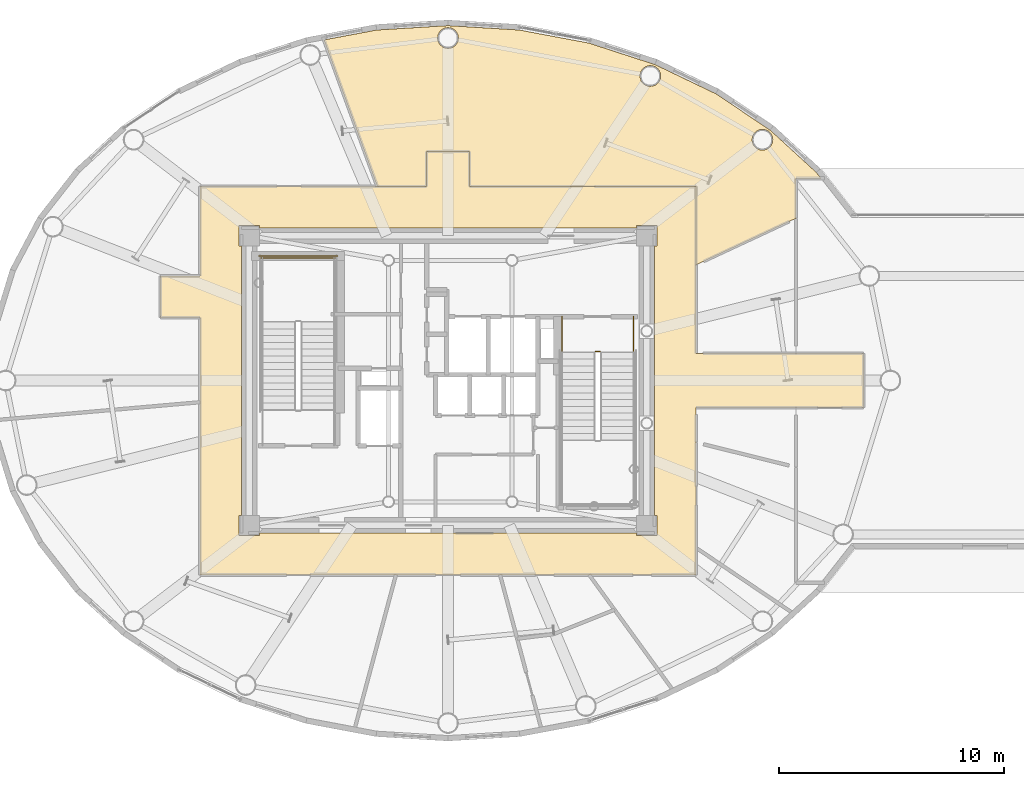
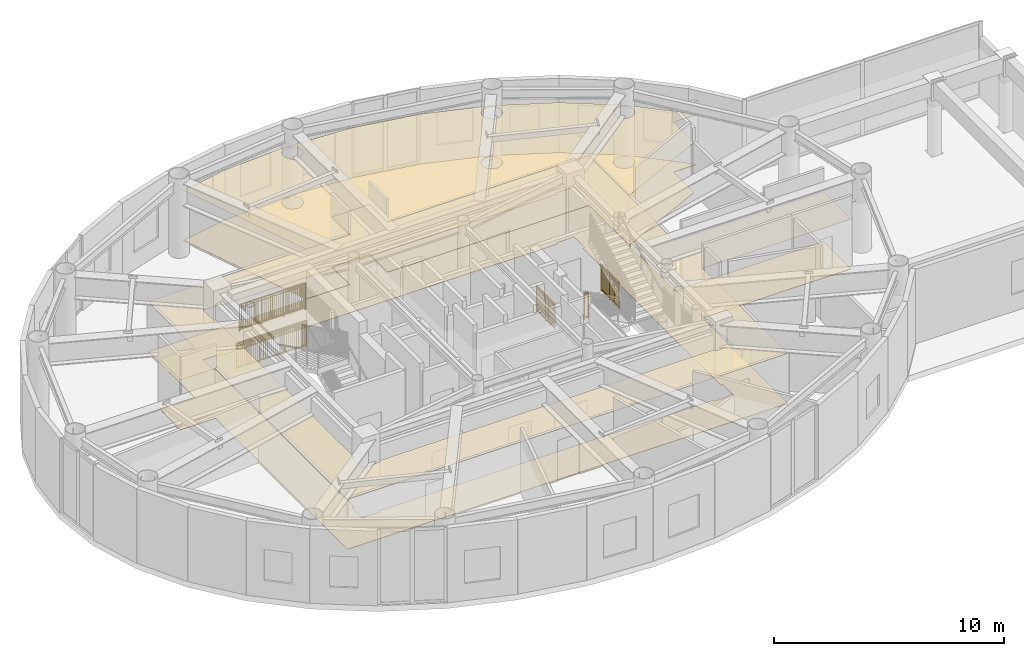
# One storey, part 25 of 26: 5 railings, 4 coverings.
"""IFC4 building model written with IfcOpenShell, lengths in metres."""

from ifc_helpers import new_model, si_unit, direction, frame, origin, origin_2d, place, context, subcontext, project, spatial, polyline, rectangle, outline, extrude, source, transform, mapped, material, layer, layer_set, type_object, element, save


model = new_model("IFC4")

# Units and contexts
model_context = context("Model", 3, precision=1e-05, world=origin(), true_north=direction((0.0, 1.0)))
body_context = subcontext(model_context, "Body", "Model", "MODEL_VIEW")
ifc_project = project(units=[si_unit("LENGTHUNIT", "METRE"), si_unit("AREAUNIT", "SQUARE_METRE"), si_unit("VOLUMEUNIT", "CUBIC_METRE"), si_unit("PLANEANGLEUNIT", "RADIAN"), si_unit("MASSUNIT", "GRAM", prefix="KILO")], contexts=[model_context])

# Site, building, storey
site_placement = place(None, origin())
site = spatial("IfcSite", under=ifc_project, at=site_placement, CompositionType="ELEMENT")
building_placement = place(site_placement, origin())
building = spatial("IfcBuilding", under=site, at=building_placement, Name="Linh Dai School and Residence Tower", CompositionType="ELEMENT")
storey_placement = place(building_placement, frame((0.0, 0.0, 351.0)))
storey = spatial("IfcBuildingStorey", under=building, at=storey_placement, Name="L87", CompositionType="ELEMENT", Elevation=351.0)

# Coverings
ifc_material_1 = material(Name="Mineral Fibre Acoustic Suspended Ceiling", Category="masonry")
ifc_layer_1 = layer(ifc_material_1, 0.02001953125)
ifc_layer_set_1 = layer_set([ifc_layer_1], Name="Mineral Fibre Acoustic Suspended Ceiling")
covering_type_1 = type_object("IfcCoveringType", Name="COV-CEIL-AC-20", PredefinedType="CEILING", material=ifc_layer_set_1)
covering_1_placement = place(storey_placement, frame((0.0, 0.0, 2.64990234375)))
element("IfcCovering", 1, at=covering_1_placement, inside=storey, type_object=covering_type_1, Name="L87 Sky Lounge Gallery Foyer Suspended Ceiling", PredefinedType="CEILING", context=body_context, shape_type="SweptSolid", body=[
    extrude(outline(polyline([(24.949951171875, 31.64990234375), (24.949951171875, 35.64990234375), (35.050048828125, 35.64990234375), (35.050048828125, 37.199951171875), (36.949951171875, 37.199951171875), (36.949951171875, 35.64990234375), (47.050048828125, 35.64990234375), (47.050048828125, 28.199951171875), (54.5, 28.199951171875), (54.5, 25.800048828125), (47.050048828125, 25.800048828125), (47.050048828125, 18.35009765625), (24.949951171875, 18.35009765625), (24.949951171875, 29.800048828125), (23.199951171875, 29.800048828125), (23.199951171875, 31.64990234375), (24.949951171875, 31.64990234375)]), holes=[polyline([(27.60009765625, 33.800048828125), (27.60009765625, 33.89990234375), (26.699951171875, 33.89990234375), (26.699951171875, 33.0), (26.800048828125, 33.0), (26.800048828125, 21.0), (26.699951171875, 21.0), (26.699951171875, 20.10009765625), (27.60009765625, 20.10009765625), (27.60009765625, 20.199951171875), (44.39990234375, 20.199951171875), (44.39990234375, 20.10009765625), (45.300048828125, 20.10009765625), (45.300048828125, 21.0), (45.199951171875, 21.0), (45.199951171875, 33.0), (45.300048828125, 33.0), (45.300048828125, 33.89990234375), (44.39990234375, 33.89990234375), (44.39990234375, 33.800048828125), (27.60009765625, 33.800048828125)])]), origin(), (0.0, 0.0, 1.0), 0.02001953125),
])
covering_2_placement = place(storey_placement, frame((0.0, 0.0, 2.64990234375)))
element("IfcCovering", 2, at=covering_2_placement, inside=storey, type_object=covering_type_1, Name="L87 Da Nang Coastal Architecture Exhibition Gallery Suspended Ceiling", PredefinedType="CEILING", context=body_context, shape_type="SweptSolid", body=[
    extrude(outline(polyline([(36.0, 42.804931640625), (39.176025390625, 42.609130859375), (42.273193359375, 42.02685546875), (45.214111328125, 41.072998046875), (47.926025390625, 39.771484375), (50.341552734375, 38.15576171875), (52.401611328125, 36.266845703125), (52.6103515625, 36.0), (51.5, 36.0), (51.5, 34.227783203125), (47.050048828125, 32.152587890625), (47.050048828125, 35.64990234375), (36.949951171875, 35.64990234375), (36.949951171875, 37.199951171875), (35.050048828125, 37.199951171875), (35.050048828125, 35.64990234375), (32.851806640625, 35.64990234375), (30.479248046875, 42.16845703125), (32.823974609375, 42.609130859375), (36.0, 42.804931640625)]), holes=[polyline([(50.44873046875, 37.603271484375), (50.46435546875, 37.722900390625), (50.44873046875, 37.84228515625), (50.402587890625, 37.953857421875), (50.3291015625, 38.049560546875), (50.2333984375, 38.122802734375), (50.1220703125, 38.1689453125), (50.00244140625, 38.184814453125), (49.8828125, 38.1689453125), (49.771484375, 38.122802734375), (49.67578125, 38.049560546875), (49.602294921875, 37.953857421875), (49.55615234375, 37.84228515625), (49.540283203125, 37.722900390625), (49.55615234375, 37.603271484375), (49.602294921875, 37.49169921875), (49.67578125, 37.39599609375), (49.771484375, 37.32275390625), (49.8828125, 37.276611328125), (50.00244140625, 37.2607421875), (50.1220703125, 37.276611328125), (50.2333984375, 37.32275390625), (50.3291015625, 37.39599609375), (50.402587890625, 37.49169921875), (50.44873046875, 37.603271484375)]), polyline([(45.410400390625, 40.3310546875), (45.45654296875, 40.4423828125), (45.472412109375, 40.56201171875), (45.45654296875, 40.681640625), (45.410400390625, 40.793212890625), (45.3369140625, 40.888916015625), (45.2412109375, 40.962158203125), (45.1298828125, 41.00830078125), (45.01025390625, 41.024169921875), (44.890625, 41.00830078125), (44.779296875, 40.962158203125), (44.68359375, 40.888916015625), (44.610107421875, 40.793212890625), (44.56396484375, 40.681640625), (44.54833984375, 40.56201171875), (44.56396484375, 40.4423828125), (44.610107421875, 40.3310546875), (44.68359375, 40.2353515625), (44.779296875, 40.162109375), (44.890625, 40.11572265625), (45.01025390625, 40.10009765625), (45.1298828125, 40.11572265625), (45.2412109375, 40.162109375), (45.3369140625, 40.2353515625), (45.410400390625, 40.3310546875)]), polyline([(36.400146484375, 42.02392578125), (36.4462890625, 42.135498046875), (36.4619140625, 42.2548828125), (36.4462890625, 42.37451171875), (36.400146484375, 42.486083984375), (36.32666015625, 42.581787109375), (36.23095703125, 42.655029296875), (36.11962890625, 42.701416015625), (36.0, 42.717041015625), (35.88037109375, 42.701416015625), (35.76904296875, 42.655029296875), (35.67333984375, 42.581787109375), (35.599853515625, 42.486083984375), (35.5537109375, 42.37451171875), (35.5380859375, 42.2548828125), (35.5537109375, 42.135498046875), (35.599853515625, 42.02392578125), (35.67333984375, 41.92822265625), (35.76904296875, 41.85498046875), (35.88037109375, 41.80859375), (36.0, 41.79296875), (36.11962890625, 41.80859375), (36.23095703125, 41.85498046875), (36.32666015625, 41.92822265625), (36.400146484375, 42.02392578125)])]), origin(), (0.0, 0.0, 1.0), 0.02001953125),
])
ifc_material_2 = material(Name="Polished Terrazzo Floor Finish", Category="masonry")
ifc_layer_2 = layer(ifc_material_2, 0.02490234375)
ifc_layer_set_2 = layer_set([ifc_layer_2], Name="Polished Terrazzo Floor Finish")
covering_type_2 = type_object("IfcCoveringType", Name="COV-FLR-TRZ-25", PredefinedType="FLOORING", material=ifc_layer_set_2)
covering_3_placement = place(storey_placement, origin())
element("IfcCovering", 3, at=covering_3_placement, inside=storey, type_object=covering_type_2, Name="L87 Sky Lounge Gallery Foyer Floor Finish", PredefinedType="FLOORING", context=body_context, shape_type="SweptSolid", body=[
    extrude(outline(polyline([(24.949951171875, 31.64990234375), (24.949951171875, 35.64990234375), (35.050048828125, 35.64990234375), (35.050048828125, 37.199951171875), (36.949951171875, 37.199951171875), (36.949951171875, 35.64990234375), (47.050048828125, 35.64990234375), (47.050048828125, 28.199951171875), (54.5, 28.199951171875), (54.5, 25.800048828125), (47.050048828125, 25.800048828125), (47.050048828125, 18.35009765625), (24.949951171875, 18.35009765625), (24.949951171875, 29.800048828125), (23.199951171875, 29.800048828125), (23.199951171875, 31.64990234375), (24.949951171875, 31.64990234375)]), holes=[polyline([(27.60009765625, 33.800048828125), (27.60009765625, 33.89990234375), (26.699951171875, 33.89990234375), (26.699951171875, 33.0), (26.800048828125, 33.0), (26.800048828125, 21.0), (26.699951171875, 21.0), (26.699951171875, 20.10009765625), (27.60009765625, 20.10009765625), (27.60009765625, 20.199951171875), (44.39990234375, 20.199951171875), (44.39990234375, 20.10009765625), (45.300048828125, 20.10009765625), (45.300048828125, 21.0), (45.199951171875, 21.0), (45.199951171875, 33.0), (45.300048828125, 33.0), (45.300048828125, 33.89990234375), (44.39990234375, 33.89990234375), (44.39990234375, 33.800048828125), (27.60009765625, 33.800048828125)])]), origin(), (0.0, 0.0, 1.0), 0.02001953125),
])
covering_4_placement = place(storey_placement, origin())
element("IfcCovering", 4, at=covering_4_placement, inside=storey, type_object=covering_type_2, Name="L87 Da Nang Coastal Architecture Exhibition Gallery Floor Finish", PredefinedType="FLOORING", context=body_context, shape_type="SweptSolid", body=[
    extrude(outline(polyline([(36.0, 42.804931640625), (39.176025390625, 42.609130859375), (42.273193359375, 42.02685546875), (45.214111328125, 41.072998046875), (47.926025390625, 39.771484375), (50.341552734375, 38.15576171875), (52.401611328125, 36.266845703125), (52.6103515625, 36.0), (51.5, 36.0), (51.5, 34.227783203125), (47.050048828125, 32.152587890625), (47.050048828125, 35.64990234375), (36.949951171875, 35.64990234375), (36.949951171875, 37.199951171875), (35.050048828125, 37.199951171875), (35.050048828125, 35.64990234375), (32.851806640625, 35.64990234375), (30.479248046875, 42.16845703125), (32.823974609375, 42.609130859375), (36.0, 42.804931640625)]), holes=[polyline([(50.44873046875, 37.603271484375), (50.46435546875, 37.722900390625), (50.44873046875, 37.84228515625), (50.402587890625, 37.953857421875), (50.3291015625, 38.049560546875), (50.2333984375, 38.122802734375), (50.1220703125, 38.1689453125), (50.00244140625, 38.184814453125), (49.8828125, 38.1689453125), (49.771484375, 38.122802734375), (49.67578125, 38.049560546875), (49.602294921875, 37.953857421875), (49.55615234375, 37.84228515625), (49.540283203125, 37.722900390625), (49.55615234375, 37.603271484375), (49.602294921875, 37.49169921875), (49.67578125, 37.39599609375), (49.771484375, 37.32275390625), (49.8828125, 37.276611328125), (50.00244140625, 37.2607421875), (50.1220703125, 37.276611328125), (50.2333984375, 37.32275390625), (50.3291015625, 37.39599609375), (50.402587890625, 37.49169921875), (50.44873046875, 37.603271484375)]), polyline([(45.410400390625, 40.3310546875), (45.45654296875, 40.4423828125), (45.472412109375, 40.56201171875), (45.45654296875, 40.681640625), (45.410400390625, 40.793212890625), (45.3369140625, 40.888916015625), (45.2412109375, 40.962158203125), (45.1298828125, 41.00830078125), (45.01025390625, 41.024169921875), (44.890625, 41.00830078125), (44.779296875, 40.962158203125), (44.68359375, 40.888916015625), (44.610107421875, 40.793212890625), (44.56396484375, 40.681640625), (44.54833984375, 40.56201171875), (44.56396484375, 40.4423828125), (44.610107421875, 40.3310546875), (44.68359375, 40.2353515625), (44.779296875, 40.162109375), (44.890625, 40.11572265625), (45.01025390625, 40.10009765625), (45.1298828125, 40.11572265625), (45.2412109375, 40.162109375), (45.3369140625, 40.2353515625), (45.410400390625, 40.3310546875)]), polyline([(36.400146484375, 42.02392578125), (36.4462890625, 42.135498046875), (36.4619140625, 42.2548828125), (36.4462890625, 42.37451171875), (36.400146484375, 42.486083984375), (36.32666015625, 42.581787109375), (36.23095703125, 42.655029296875), (36.11962890625, 42.701416015625), (36.0, 42.717041015625), (35.88037109375, 42.701416015625), (35.76904296875, 42.655029296875), (35.67333984375, 42.581787109375), (35.599853515625, 42.486083984375), (35.5537109375, 42.37451171875), (35.5380859375, 42.2548828125), (35.5537109375, 42.135498046875), (35.599853515625, 42.02392578125), (35.67333984375, 41.92822265625), (35.76904296875, 41.85498046875), (35.88037109375, 41.80859375), (36.0, 41.79296875), (36.11962890625, 41.80859375), (36.23095703125, 41.85498046875), (36.32666015625, 41.92822265625), (36.400146484375, 42.02392578125)])]), origin(), (0.0, 0.0, 1.0), 0.02001953125),
])

# Railings
ifc_material_3 = material(Name="Structural Steel S355JR", Category="steel")
railing_type = type_object("IfcRailingType", Name="RL-ST-GUARD-1400", PredefinedType="GUARDRAIL", material=ifc_material_3)
shared_shape_1 = source(origin(), body_context, "Body", "SweptSolid", [
    extrude(rectangle(XDim=0.048095703125, YDim=0.048095703125, at=origin_2d()), frame((0.0, 0.0, 1.3759765625), z_axis=(-1.0, 0.0, 0.0), x_axis=(0.0, -1.0, 0.0)), (0.0, 0.0, 1.0), 3.300048828125),
    extrude(rectangle(XDim=0.048095703125, YDim=0.048095703125, at=origin_2d()), frame((0.0, 0.0, 0.10009765625), z_axis=(-1.0, 0.0, 0.0), x_axis=(0.0, -1.0, 0.0)), (0.0, 0.0, 1.0), 3.300048828125),
    extrude(rectangle(XDim=0.030029296875, YDim=0.030029296875, at=origin_2d()), frame((0.0, 0.0, 1.239990234375), z_axis=(-1.0, 0.0, 0.0), x_axis=(0.0, -1.0, 0.0)), (0.0, 0.0, 1.0), 3.300048828125),
    extrude(rectangle(XDim=0.02001953125, YDim=0.02001953125, at=origin_2d()), frame((-0.09716796875, 0.0, 0.10009765625)), (0.0, 0.0, 1.0), 1.251708984375),
    extrude(rectangle(XDim=0.02001953125, YDim=0.02001953125, at=origin_2d()), frame((-0.194091796875, 0.0, 0.10009765625)), (0.0, 0.0, 1.0), 1.251708984375),
    extrude(rectangle(XDim=0.02001953125, YDim=0.02001953125, at=origin_2d()), frame((-0.291259765625, 0.0, 0.10009765625)), (0.0, 0.0, 1.0), 1.251708984375),
    extrude(rectangle(XDim=0.02001953125, YDim=0.02001953125, at=origin_2d()), frame((-0.38818359375, 0.0, 0.10009765625)), (0.0, 0.0, 1.0), 1.251708984375),
    extrude(rectangle(XDim=0.02001953125, YDim=0.02001953125, at=origin_2d()), frame((-0.4853515625, 0.0, 0.10009765625)), (0.0, 0.0, 1.0), 1.251708984375),
    extrude(rectangle(XDim=0.02001953125, YDim=0.02001953125, at=origin_2d()), frame((-0.582275390625, 0.0, 0.10009765625)), (0.0, 0.0, 1.0), 1.251708984375),
    extrude(rectangle(XDim=0.02001953125, YDim=0.02001953125, at=origin_2d()), frame((-0.679443359375, 0.0, 0.10009765625)), (0.0, 0.0, 1.0), 1.251708984375),
    extrude(rectangle(XDim=0.02001953125, YDim=0.02001953125, at=origin_2d()), frame((-0.7763671875, 0.0, 0.10009765625)), (0.0, 0.0, 1.0), 1.251708984375),
    extrude(rectangle(XDim=0.02001953125, YDim=0.02001953125, at=origin_2d()), frame((-0.87353515625, 0.0, 0.10009765625)), (0.0, 0.0, 1.0), 1.251708984375),
    extrude(rectangle(XDim=0.02001953125, YDim=0.02001953125, at=origin_2d()), frame((-0.970703125, 0.0, 0.10009765625)), (0.0, 0.0, 1.0), 1.251708984375),
    extrude(rectangle(XDim=0.02001953125, YDim=0.02001953125, at=origin_2d()), frame((-1.164794921875, 0.0, 0.10009765625)), (0.0, 0.0, 1.0), 1.251708984375),
    extrude(rectangle(XDim=0.02001953125, YDim=0.02001953125, at=origin_2d()), frame((-1.26171875, 0.0, 0.10009765625)), (0.0, 0.0, 1.0), 1.251708984375),
    extrude(rectangle(XDim=0.02001953125, YDim=0.02001953125, at=origin_2d()), frame((-1.35888671875, 0.0, 0.10009765625)), (0.0, 0.0, 1.0), 1.251708984375),
    extrude(rectangle(XDim=0.02001953125, YDim=0.02001953125, at=origin_2d()), frame((-1.455810546875, 0.0, 0.10009765625)), (0.0, 0.0, 1.0), 1.251708984375),
    extrude(rectangle(XDim=0.02001953125, YDim=0.02001953125, at=origin_2d()), frame((-1.552978515625, 0.0, 0.10009765625)), (0.0, 0.0, 1.0), 1.251708984375),
    extrude(rectangle(XDim=0.02001953125, YDim=0.02001953125, at=origin_2d()), frame((-1.64990234375, 0.0, 0.10009765625)), (0.0, 0.0, 1.0), 1.251708984375),
    extrude(rectangle(XDim=0.02001953125, YDim=0.02001953125, at=origin_2d()), frame((-1.7470703125, 0.0, 0.10009765625)), (0.0, 0.0, 1.0), 1.251708984375),
    extrude(rectangle(XDim=0.02001953125, YDim=0.02001953125, at=origin_2d()), frame((-1.84423828125, 0.0, 0.10009765625)), (0.0, 0.0, 1.0), 1.251708984375),
    extrude(rectangle(XDim=0.02001953125, YDim=0.02001953125, at=origin_2d()), frame((-1.941162109375, 0.0, 0.10009765625)), (0.0, 0.0, 1.0), 1.251708984375),
    extrude(rectangle(XDim=0.02001953125, YDim=0.02001953125, at=origin_2d()), frame((-2.038330078125, 0.0, 0.10009765625)), (0.0, 0.0, 1.0), 1.251708984375),
    extrude(rectangle(XDim=0.02001953125, YDim=0.02001953125, at=origin_2d()), frame((-2.13525390625, 0.0, 0.10009765625)), (0.0, 0.0, 1.0), 1.251708984375),
    extrude(rectangle(XDim=0.02001953125, YDim=0.02001953125, at=origin_2d()), frame((-2.329345703125, 0.0, 0.10009765625)), (0.0, 0.0, 1.0), 1.251708984375),
    extrude(rectangle(XDim=0.02001953125, YDim=0.02001953125, at=origin_2d()), frame((-2.426513671875, 0.0, 0.10009765625)), (0.0, 0.0, 1.0), 1.251708984375),
    extrude(rectangle(XDim=0.02001953125, YDim=0.02001953125, at=origin_2d()), frame((-2.523681640625, 0.0, 0.10009765625)), (0.0, 0.0, 1.0), 1.251708984375),
    extrude(rectangle(XDim=0.02001953125, YDim=0.02001953125, at=origin_2d()), frame((-2.62060546875, 0.0, 0.10009765625)), (0.0, 0.0, 1.0), 1.251708984375),
    extrude(rectangle(XDim=0.02001953125, YDim=0.02001953125, at=origin_2d()), frame((-2.7177734375, 0.0, 0.10009765625)), (0.0, 0.0, 1.0), 1.251708984375),
    extrude(rectangle(XDim=0.02001953125, YDim=0.02001953125, at=origin_2d()), frame((-2.814697265625, 0.0, 0.10009765625)), (0.0, 0.0, 1.0), 1.251708984375),
    extrude(rectangle(XDim=0.02001953125, YDim=0.02001953125, at=origin_2d()), frame((-2.911865234375, 0.0, 0.10009765625)), (0.0, 0.0, 1.0), 1.251708984375),
    extrude(rectangle(XDim=0.02001953125, YDim=0.02001953125, at=origin_2d()), frame((-3.0087890625, 0.0, 0.10009765625)), (0.0, 0.0, 1.0), 1.251708984375),
    extrude(rectangle(XDim=0.02001953125, YDim=0.02001953125, at=origin_2d()), frame((-3.10595703125, 0.0, 0.10009765625)), (0.0, 0.0, 1.0), 1.251708984375),
    extrude(rectangle(XDim=0.02001953125, YDim=0.02001953125, at=origin_2d()), frame((-3.202880859375, 0.0, 0.10009765625)), (0.0, 0.0, 1.0), 1.251708984375),
    extrude(rectangle(XDim=0.0419921875, YDim=0.0419921875, at=origin_2d()), origin(), (0.0, 0.0, 1.0), 1.3759765625),
    extrude(rectangle(XDim=0.0419921875, YDim=0.0419921875, at=origin_2d()), frame((-1.10009765625, 0.0, 0.0)), (0.0, 0.0, 1.0), 1.3759765625),
    extrude(rectangle(XDim=0.0419921875, YDim=0.0419921875, at=origin_2d()), frame((-2.199951171875, 0.0, 0.0)), (0.0, 0.0, 1.0), 1.3759765625),
    extrude(rectangle(XDim=0.0419921875, YDim=0.0419921875, at=origin_2d()), frame((-3.300048828125, 0.0, 0.0)), (0.0, 0.0, 1.0), 1.3759765625),
])
railing_1_placement = place(storey_placement, frame((30.97998046875, 32.449951171875, 2.10009765625)))
element("IfcRailing", 5, at=railing_1_placement, inside=storey, type_object=railing_type, Name="L87 ST1 stair guard 5", PredefinedType="GUARDRAIL", context=body_context, shape_type="MappedRepresentation", body=[
    mapped(shared_shape_1, transform((0.0, 0.0, 0.0), x_axis=(1.0, 0.0, 0.0), y_axis=(0.0, 1.0, 0.0), z_axis=(0.0, 0.0, 1.0), scale=1.0)),
])
shared_shape_2 = source(origin(), body_context, "Body", "SweptSolid", [
    extrude(rectangle(XDim=0.048095703125, YDim=0.048095703125, at=origin_2d()), frame((0.0, 0.0, 1.3759765625), z_axis=(-1.0, 0.0, 0.0), x_axis=(0.0, -1.0, 0.0)), (0.0, 0.0, 1.0), 3.5),
    extrude(rectangle(XDim=0.048095703125, YDim=0.048095703125, at=origin_2d()), frame((0.0, 0.0, 0.10009765625), z_axis=(-1.0, 0.0, 0.0), x_axis=(0.0, -1.0, 0.0)), (0.0, 0.0, 1.0), 3.5),
    extrude(rectangle(XDim=0.030029296875, YDim=0.030029296875, at=origin_2d()), frame((0.0, 0.0, 1.239990234375), z_axis=(-1.0, 0.0, 0.0), x_axis=(0.0, -1.0, 0.0)), (0.0, 0.0, 1.0), 3.5),
    extrude(rectangle(XDim=0.02001953125, YDim=0.02001953125, at=origin_2d()), frame((-0.09716796875, 0.0, 0.10009765625)), (0.0, 0.0, 1.0), 1.251708984375),
    extrude(rectangle(XDim=0.02001953125, YDim=0.02001953125, at=origin_2d()), frame((-0.1943359375, 0.0, 0.10009765625)), (0.0, 0.0, 1.0), 1.251708984375),
    extrude(rectangle(XDim=0.02001953125, YDim=0.02001953125, at=origin_2d()), frame((-0.291748046875, 0.0, 0.10009765625)), (0.0, 0.0, 1.0), 1.251708984375),
    extrude(rectangle(XDim=0.02001953125, YDim=0.02001953125, at=origin_2d()), frame((-0.388916015625, 0.0, 0.10009765625)), (0.0, 0.0, 1.0), 1.251708984375),
    extrude(rectangle(XDim=0.02001953125, YDim=0.02001953125, at=origin_2d()), frame((-0.486083984375, 0.0, 0.10009765625)), (0.0, 0.0, 1.0), 1.251708984375),
    extrude(rectangle(XDim=0.02001953125, YDim=0.02001953125, at=origin_2d()), frame((-0.583251953125, 0.0, 0.10009765625)), (0.0, 0.0, 1.0), 1.251708984375),
    extrude(rectangle(XDim=0.02001953125, YDim=0.02001953125, at=origin_2d()), frame((-0.6806640625, 0.0, 0.10009765625)), (0.0, 0.0, 1.0), 1.251708984375),
    extrude(rectangle(XDim=0.02001953125, YDim=0.02001953125, at=origin_2d()), frame((-0.77783203125, 0.0, 0.10009765625)), (0.0, 0.0, 1.0), 1.251708984375),
    extrude(rectangle(XDim=0.02001953125, YDim=0.02001953125, at=origin_2d()), frame((-0.875, 0.0, 0.10009765625)), (0.0, 0.0, 1.0), 1.251708984375),
    extrude(rectangle(XDim=0.02001953125, YDim=0.02001953125, at=origin_2d()), frame((-0.97216796875, 0.0, 0.10009765625)), (0.0, 0.0, 1.0), 1.251708984375),
    extrude(rectangle(XDim=0.02001953125, YDim=0.02001953125, at=origin_2d()), frame((-1.0693359375, 0.0, 0.10009765625)), (0.0, 0.0, 1.0), 1.251708984375),
    extrude(rectangle(XDim=0.02001953125, YDim=0.02001953125, at=origin_2d()), frame((-1.263916015625, 0.0, 0.10009765625)), (0.0, 0.0, 1.0), 1.251708984375),
    extrude(rectangle(XDim=0.02001953125, YDim=0.02001953125, at=origin_2d()), frame((-1.361083984375, 0.0, 0.10009765625)), (0.0, 0.0, 1.0), 1.251708984375),
    extrude(rectangle(XDim=0.02001953125, YDim=0.02001953125, at=origin_2d()), frame((-1.458251953125, 0.0, 0.10009765625)), (0.0, 0.0, 1.0), 1.251708984375),
    extrude(rectangle(XDim=0.02001953125, YDim=0.02001953125, at=origin_2d()), frame((-1.5556640625, 0.0, 0.10009765625)), (0.0, 0.0, 1.0), 1.251708984375),
    extrude(rectangle(XDim=0.02001953125, YDim=0.02001953125, at=origin_2d()), frame((-1.65283203125, 0.0, 0.10009765625)), (0.0, 0.0, 1.0), 1.251708984375),
    extrude(rectangle(XDim=0.02001953125, YDim=0.02001953125, at=origin_2d()), frame((-1.75, 0.0, 0.10009765625)), (0.0, 0.0, 1.0), 1.251708984375),
    extrude(rectangle(XDim=0.02001953125, YDim=0.02001953125, at=origin_2d()), frame((-1.84716796875, 0.0, 0.10009765625)), (0.0, 0.0, 1.0), 1.251708984375),
    extrude(rectangle(XDim=0.02001953125, YDim=0.02001953125, at=origin_2d()), frame((-1.9443359375, 0.0, 0.10009765625)), (0.0, 0.0, 1.0), 1.251708984375),
    extrude(rectangle(XDim=0.02001953125, YDim=0.02001953125, at=origin_2d()), frame((-2.041748046875, 0.0, 0.10009765625)), (0.0, 0.0, 1.0), 1.251708984375),
    extrude(rectangle(XDim=0.02001953125, YDim=0.02001953125, at=origin_2d()), frame((-2.138916015625, 0.0, 0.10009765625)), (0.0, 0.0, 1.0), 1.251708984375),
    extrude(rectangle(XDim=0.02001953125, YDim=0.02001953125, at=origin_2d()), frame((-2.236083984375, 0.0, 0.10009765625)), (0.0, 0.0, 1.0), 1.251708984375),
    extrude(rectangle(XDim=0.02001953125, YDim=0.02001953125, at=origin_2d()), frame((-2.4306640625, 0.0, 0.10009765625)), (0.0, 0.0, 1.0), 1.251708984375),
    extrude(rectangle(XDim=0.02001953125, YDim=0.02001953125, at=origin_2d()), frame((-2.52783203125, 0.0, 0.10009765625)), (0.0, 0.0, 1.0), 1.251708984375),
    extrude(rectangle(XDim=0.02001953125, YDim=0.02001953125, at=origin_2d()), frame((-2.625, 0.0, 0.10009765625)), (0.0, 0.0, 1.0), 1.251708984375),
    extrude(rectangle(XDim=0.02001953125, YDim=0.02001953125, at=origin_2d()), frame((-2.72216796875, 0.0, 0.10009765625)), (0.0, 0.0, 1.0), 1.251708984375),
    extrude(rectangle(XDim=0.02001953125, YDim=0.02001953125, at=origin_2d()), frame((-2.8193359375, 0.0, 0.10009765625)), (0.0, 0.0, 1.0), 1.251708984375),
    extrude(rectangle(XDim=0.02001953125, YDim=0.02001953125, at=origin_2d()), frame((-2.916748046875, 0.0, 0.10009765625)), (0.0, 0.0, 1.0), 1.251708984375),
    extrude(rectangle(XDim=0.02001953125, YDim=0.02001953125, at=origin_2d()), frame((-3.013916015625, 0.0, 0.10009765625)), (0.0, 0.0, 1.0), 1.251708984375),
    extrude(rectangle(XDim=0.02001953125, YDim=0.02001953125, at=origin_2d()), frame((-3.111083984375, 0.0, 0.10009765625)), (0.0, 0.0, 1.0), 1.251708984375),
    extrude(rectangle(XDim=0.02001953125, YDim=0.02001953125, at=origin_2d()), frame((-3.208251953125, 0.0, 0.10009765625)), (0.0, 0.0, 1.0), 1.251708984375),
    extrude(rectangle(XDim=0.02001953125, YDim=0.02001953125, at=origin_2d()), frame((-3.3056640625, 0.0, 0.10009765625)), (0.0, 0.0, 1.0), 1.251708984375),
    extrude(rectangle(XDim=0.02001953125, YDim=0.02001953125, at=origin_2d()), frame((-3.40283203125, 0.0, 0.10009765625)), (0.0, 0.0, 1.0), 1.251708984375),
    extrude(rectangle(XDim=0.0419921875, YDim=0.0419921875, at=origin_2d()), origin(), (0.0, 0.0, 1.0), 1.3759765625),
    extrude(rectangle(XDim=0.0419921875, YDim=0.0419921875, at=origin_2d()), frame((-1.166748046875, 0.0, 0.0)), (0.0, 0.0, 1.0), 1.3759765625),
    extrude(rectangle(XDim=0.0419921875, YDim=0.0419921875, at=origin_2d()), frame((-2.333251953125, 0.0, 0.0)), (0.0, 0.0, 1.0), 1.3759765625),
    extrude(rectangle(XDim=0.0419921875, YDim=0.0419921875, at=origin_2d()), frame((-3.5, 0.0, 0.0)), (0.0, 0.0, 1.0), 1.3759765625),
])
railing_2_placement = place(storey_placement, frame((31.080078125, 32.550048828125, 0.0)))
element("IfcRailing", 6, at=railing_2_placement, inside=storey, type_object=railing_type, Name="L87 ST1 stair guard 12", PredefinedType="GUARDRAIL", context=body_context, shape_type="MappedRepresentation", body=[
    mapped(shared_shape_2, transform((0.0, 0.0, 0.0), x_axis=(1.0, 0.0, 0.0), y_axis=(0.0, 1.0, 0.0), z_axis=(0.0, 0.0, 1.0), scale=1.0)),
])
shared_shape_3 = source(origin(), body_context, "Body", "SweptSolid", [
    extrude(rectangle(XDim=0.048095703125, YDim=0.048095703125, at=origin_2d()), frame((0.0, 0.0, 1.3759765625), z_axis=(1.0, 0.0, 0.0), x_axis=(0.0, 1.0, 0.0)), (0.0, 0.0, 1.0), 0.199951171875),
    extrude(rectangle(XDim=0.048095703125, YDim=0.048095703125, at=origin_2d()), frame((0.0, 0.0, 0.10009765625), z_axis=(1.0, 0.0, 0.0), x_axis=(0.0, 1.0, 0.0)), (0.0, 0.0, 1.0), 0.199951171875),
    extrude(rectangle(XDim=0.030029296875, YDim=0.030029296875, at=origin_2d()), frame((0.0, 0.0, 1.239990234375), z_axis=(1.0, 0.0, 0.0), x_axis=(0.0, 1.0, 0.0)), (0.0, 0.0, 1.0), 0.199951171875),
    extrude(rectangle(XDim=0.0419921875, YDim=0.0419921875, at=origin_2d()), origin(), (0.0, 0.0, 1.0), 1.3759765625),
    extrude(rectangle(XDim=0.0419921875, YDim=0.0419921875, at=origin_2d()), frame((0.199951171875, 0.0, 0.0)), (0.0, 0.0, 1.0), 1.3759765625),
])
railing_3_placement = place(storey_placement, frame((42.570068359375, 28.300048828125, 0.0)))
element("IfcRailing", 7, at=railing_3_placement, inside=storey, type_object=railing_type, Name="L87 ST2 stair guard 7", PredefinedType="GUARDRAIL", context=body_context, shape_type="MappedRepresentation", body=[
    mapped(shared_shape_3, transform((0.0, 0.0, 0.0), x_axis=(1.0, 0.0, 0.0), y_axis=(0.0, 1.0, 0.0), z_axis=(0.0, 0.0, 1.0), scale=1.0)),
])
shared_shape_4 = source(origin(), body_context, "Body", "SweptSolid", [
    extrude(rectangle(XDim=0.048095703125, YDim=0.048095703125, at=origin_2d()), frame((0.0, 0.0, 1.3759765625), z_axis=(0.0, -1.0, 0.0), x_axis=(1.0, 0.0, 0.0)), (0.0, 0.0, 1.0), 1.60009765625),
    extrude(rectangle(XDim=0.048095703125, YDim=0.048095703125, at=origin_2d()), frame((0.0, 0.0, 0.10009765625), z_axis=(0.0, -1.0, 0.0), x_axis=(1.0, 0.0, 0.0)), (0.0, 0.0, 1.0), 1.60009765625),
    extrude(rectangle(XDim=0.030029296875, YDim=0.030029296875, at=origin_2d()), frame((0.0, 0.0, 1.239990234375), z_axis=(0.0, -1.0, 0.0), x_axis=(1.0, 0.0, 0.0)), (0.0, 0.0, 1.0), 1.60009765625),
    extrude(rectangle(XDim=0.02001953125, YDim=0.02001953125, at=origin_2d()), frame((0.0, -0.09423828125, 0.10009765625)), (0.0, 0.0, 1.0), 1.251708984375),
    extrude(rectangle(XDim=0.02001953125, YDim=0.02001953125, at=origin_2d()), frame((0.0, -0.188232421875, 0.10009765625)), (0.0, 0.0, 1.0), 1.251708984375),
    extrude(rectangle(XDim=0.02001953125, YDim=0.02001953125, at=origin_2d()), frame((0.0, -0.282470703125, 0.10009765625)), (0.0, 0.0, 1.0), 1.251708984375),
    extrude(rectangle(XDim=0.02001953125, YDim=0.02001953125, at=origin_2d()), frame((0.0, -0.37646484375, 0.10009765625)), (0.0, 0.0, 1.0), 1.251708984375),
    extrude(rectangle(XDim=0.02001953125, YDim=0.02001953125, at=origin_2d()), frame((0.0, -0.470703125, 0.10009765625)), (0.0, 0.0, 1.0), 1.251708984375),
    extrude(rectangle(XDim=0.02001953125, YDim=0.02001953125, at=origin_2d()), frame((0.0, -0.564697265625, 0.10009765625)), (0.0, 0.0, 1.0), 1.251708984375),
    extrude(rectangle(XDim=0.02001953125, YDim=0.02001953125, at=origin_2d()), frame((0.0, -0.658935546875, 0.10009765625)), (0.0, 0.0, 1.0), 1.251708984375),
    extrude(rectangle(XDim=0.02001953125, YDim=0.02001953125, at=origin_2d()), frame((0.0, -0.7529296875, 0.10009765625)), (0.0, 0.0, 1.0), 1.251708984375),
    extrude(rectangle(XDim=0.02001953125, YDim=0.02001953125, at=origin_2d()), frame((0.0, -0.84716796875, 0.10009765625)), (0.0, 0.0, 1.0), 1.251708984375),
    extrude(rectangle(XDim=0.02001953125, YDim=0.02001953125, at=origin_2d()), frame((0.0, -0.941162109375, 0.10009765625)), (0.0, 0.0, 1.0), 1.251708984375),
    extrude(rectangle(XDim=0.02001953125, YDim=0.02001953125, at=origin_2d()), frame((0.0, -1.035400390625, 0.10009765625)), (0.0, 0.0, 1.0), 1.251708984375),
    extrude(rectangle(XDim=0.02001953125, YDim=0.02001953125, at=origin_2d()), frame((0.0, -1.12939453125, 0.10009765625)), (0.0, 0.0, 1.0), 1.251708984375),
    extrude(rectangle(XDim=0.02001953125, YDim=0.02001953125, at=origin_2d()), frame((0.0, -1.2236328125, 0.10009765625)), (0.0, 0.0, 1.0), 1.251708984375),
    extrude(rectangle(XDim=0.02001953125, YDim=0.02001953125, at=origin_2d()), frame((0.0, -1.317626953125, 0.10009765625)), (0.0, 0.0, 1.0), 1.251708984375),
    extrude(rectangle(XDim=0.02001953125, YDim=0.02001953125, at=origin_2d()), frame((0.0, -1.411865234375, 0.10009765625)), (0.0, 0.0, 1.0), 1.251708984375),
    extrude(rectangle(XDim=0.02001953125, YDim=0.02001953125, at=origin_2d()), frame((0.0, -1.505859375, 0.10009765625)), (0.0, 0.0, 1.0), 1.251708984375),
    extrude(rectangle(XDim=0.0419921875, YDim=0.0419921875, at=origin_2d()), origin(), (0.0, 0.0, 1.0), 1.3759765625),
    extrude(rectangle(XDim=0.0419921875, YDim=0.0419921875, at=origin_2d()), frame((0.0, -0.800048828125, 0.0)), (0.0, 0.0, 1.0), 1.3759765625),
    extrude(rectangle(XDim=0.0419921875, YDim=0.0419921875, at=origin_2d()), frame((0.0, -1.60009765625, 0.0)), (0.0, 0.0, 1.0), 1.3759765625),
])
for number, where, name in (
    (8, (41.070068359375, 29.85009765625, 0.0), "L87 ST2 stair guard 8"),
    (9, (44.27001953125, 29.85009765625, 0.0), "L87 ST2 stair guard 9"),
):
    element("IfcRailing", number, at=place(storey_placement, frame(where)), inside=storey, type_object=railing_type, Name=name, PredefinedType="GUARDRAIL", context=body_context, shape_type="MappedRepresentation", body=[
        mapped(shared_shape_4, transform((0.0, 0.0, 0.0), x_axis=(1.0, 0.0, 0.0), y_axis=(0.0, 1.0, 0.0), z_axis=(0.0, 0.0, 1.0), scale=1.0)),
    ])

save(model, "model.ifc")
